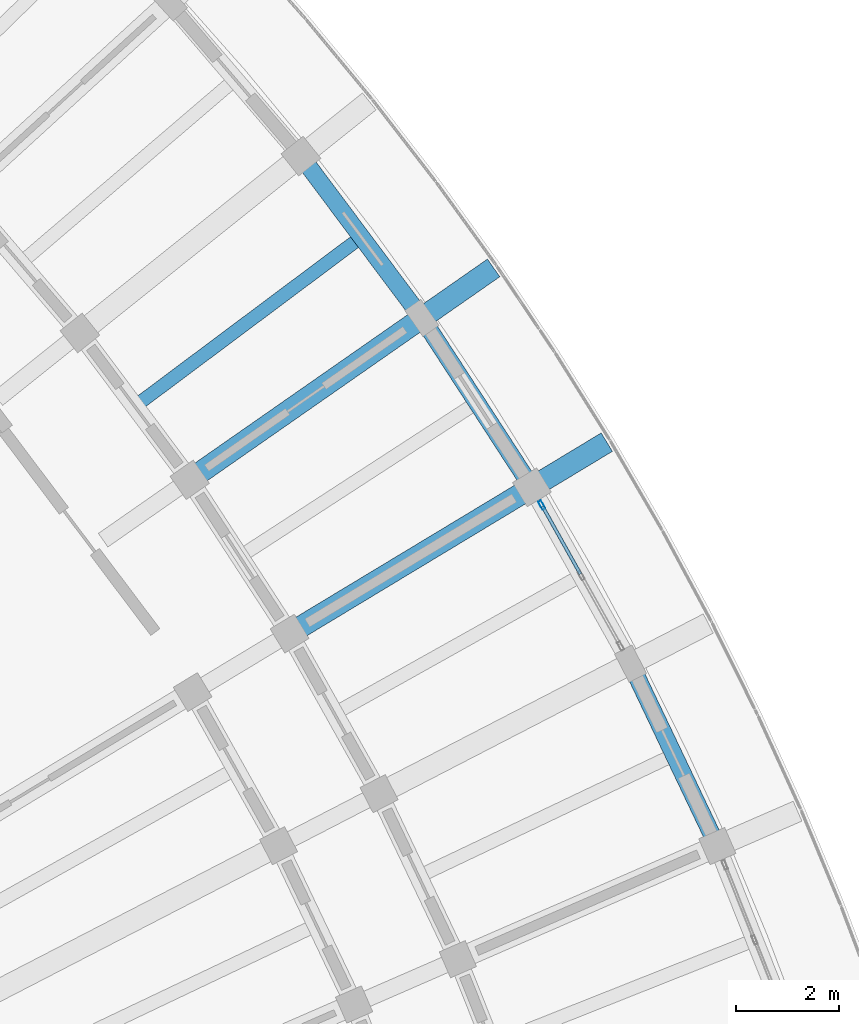
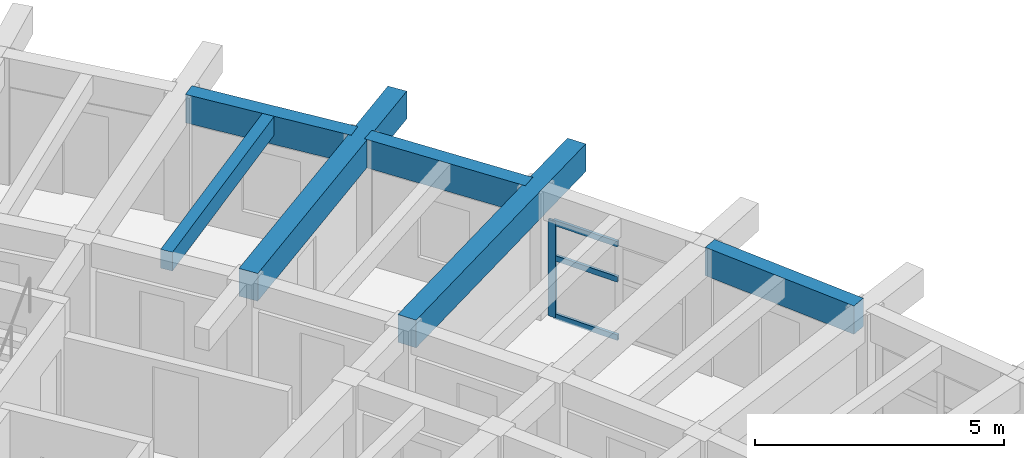
# One storey, part 38 of 96: 6 beams, 4 members, 1 element without a shape of its own.
"""IFC4 building model written with IfcOpenShell, lengths in metres."""

from ifc_helpers import new_model, si_unit, direction, frame, origin, origin_2d, place, context, subcontext, project, spatial, rectangle, hollow_rectangle, extrude, material, material_profile, profile_set, type_object, element, aggregate, save


model = new_model("IFC4")

# Units and contexts
model_context = context("Model", 3, precision=1e-05, world=origin(), true_north=direction((0.0, 1.0)))
body_context = subcontext(model_context, "Body", "Model", "MODEL_VIEW")
ifc_project = project(units=[si_unit("LENGTHUNIT", "METRE"), si_unit("AREAUNIT", "SQUARE_METRE"), si_unit("VOLUMEUNIT", "CUBIC_METRE"), si_unit("PLANEANGLEUNIT", "RADIAN"), si_unit("MASSUNIT", "GRAM", prefix="KILO")], contexts=[model_context])

# Site, building, storey
site_placement = place(None, origin())
site = spatial("IfcSite", under=ifc_project, at=site_placement, CompositionType="ELEMENT")
building_placement = place(site_placement, origin())
building = spatial("IfcBuilding", under=site, at=building_placement, Name="Tanwirah Colonnade Gardens", CompositionType="ELEMENT")
storey_placement = place(building_placement, frame((0.0, 0.0, 12.199951171875)))
storey = spatial("IfcBuildingStorey", under=building, at=storey_placement, Name="L03", CompositionType="ELEMENT", Elevation=12.199951171875)

# Beams
ifc_material_1 = material(Name="Precast concrete C45/55", Category="concrete")
ifc_material_profile_1 = material_profile(ifc_material_1, rectangle(XDim=0.419921875, YDim=0.679931640625, at=origin_2d()), Name="PC-BM 420x680")
ifc_profile_set_1 = profile_set([ifc_material_profile_1], Name="Precast concrete C45/55")
beam_type_1 = type_object("IfcBeamType", Name="BM-PC420", PredefinedType="BEAM", material=ifc_profile_set_1)
for number, where, z_axis, x_axis, name in (
    (1, (167.404296875, 88.205078125, 2.76513671875), (0.856157813984, 0.516714425533, 0.0), (-0.516714425533, 0.856157813984, 0.0), "Block B L03 Outer Radial Precast Girder 4"),
    (2, (165.458251953125, 91.20166015625, 2.76513671875), (0.820270158139, 0.571976282433, 0.0), (-0.571976282433, 0.820270158139, 0.0), "Block B L03 Outer Radial Precast Girder 5"),
):
    element("IfcBeam", number, at=place(storey_placement, frame(where, z_axis=z_axis, x_axis=x_axis)), inside=storey, type_object=beam_type_1, Name=name, PredefinedType="BEAM", context=body_context, shape_type="SweptSolid", body=[
        extrude(rectangle(XDim=0.419921875, YDim=0.679931640625, at=origin_2d()), origin(), (0.0, 0.0, 1.0), 7.050048828125),
    ])

# Curtain wall, members
ifc_material_2 = material(Name="Bronze-anodised aluminium and solar-control low-E glass", Category="aluminium")
curtain_wall_type = type_object("IfcCurtainWallType", Name="CW-LOB", PredefinedType="NOTDEFINED", material=ifc_material_2)
curtain_wall_placement = place(storey_placement, origin())
curtain_wall = element("IfcCurtainWall", 3, at=curtain_wall_placement, inside=storey, type_object=curtain_wall_type, Name="Curtain Wall CW-B-L03-OUT-03", PredefinedType="NOTDEFINED")
ifc_material_3 = material(Name="Bronze-anodised aluminium", Category="aluminium")
ifc_material_profile_2 = material_profile(ifc_material_3, hollow_rectangle(XDim=0.06494140625, YDim=0.179931640625, WallThickness=0.00390625, at=origin_2d()), Name="CW-MUL 65x180x4")
ifc_profile_set_2 = profile_set([ifc_material_profile_2], Name="Bronze-anodised aluminium")
member_type_1 = type_object("IfcMemberType", Name="CWM-65x180", PredefinedType="MULLION", material=ifc_profile_set_2)
member_1_placement = place(storey_placement, frame((172.17626953125, 90.626953125, 0.0), z_axis=(0.0, 0.0, 1.0), x_axis=(-0.8727316783, -0.488200181987, 0.0)))
member_1 = element("IfcMember", 4, at=member_1_placement, type_object=member_type_1, Name="CW-LOB mullion 3", PredefinedType="MULLION", context=body_context, shape_type="SweptSolid", body=[
    extrude(hollow_rectangle(XDim=0.06494140625, YDim=0.179931640625, WallThickness=0.00390625, at=origin_2d()), origin(), (0.0, 0.0, 1.0), 2.35498046875),
])
ifc_material_profile_3 = material_profile(ifc_material_3, hollow_rectangle(XDim=0.06494140625, YDim=0.135009765625, WallThickness=0.00390625, at=origin_2d()), Name="CW-TRN 65x135x4")
ifc_profile_set_3 = profile_set([ifc_material_profile_3], Name="Bronze-anodised aluminium")
member_type_2 = type_object("IfcMemberType", Name="CWT-65x135", PredefinedType="USERDEFINED", material=ifc_profile_set_3)
member_2_placement = place(storey_placement, frame((172.92724609375, 89.28466796875, 0.032470703125), z_axis=(-0.488242877368, 0.872707793422, 0.0), x_axis=(-0.872707793422, -0.488242877368, 0.0)))
member_2 = element("IfcMember", 5, at=member_2_placement, type_object=member_type_2, Name="CW-LOB transom 2.1", ObjectType="TRANSOM", PredefinedType="USERDEFINED", context=body_context, shape_type="SweptSolid", body=[
    extrude(hollow_rectangle(XDim=0.06494140625, YDim=0.135009765625, WallThickness=0.00390625, at=origin_2d()), origin(), (0.0, 0.0, 1.0), 1.505615234375),
])
member_3_placement = place(storey_placement, frame((172.92724609375, 89.28466796875, 1.460205078125), z_axis=(-0.488242877368, 0.872707793422, 0.0), x_axis=(-0.872707793422, -0.488242877368, 0.0)))
member_3 = element("IfcMember", 6, at=member_3_placement, type_object=member_type_2, Name="CW-LOB transom 2.2", ObjectType="TRANSOM", PredefinedType="USERDEFINED", context=body_context, shape_type="SweptSolid", body=[
    extrude(hollow_rectangle(XDim=0.06494140625, YDim=0.135009765625, WallThickness=0.00390625, at=origin_2d()), origin(), (0.0, 0.0, 1.0), 1.505615234375),
])
member_4_placement = place(storey_placement, frame((172.92724609375, 89.28466796875, 2.322509765625), z_axis=(-0.488242877368, 0.872707793422, 0.0), x_axis=(-0.872707793422, -0.488242877368, 0.0)))
member_4 = element("IfcMember", 7, at=member_4_placement, type_object=member_type_2, Name="CW-LOB transom 2.3", ObjectType="TRANSOM", PredefinedType="USERDEFINED", context=body_context, shape_type="SweptSolid", body=[
    extrude(hollow_rectangle(XDim=0.06494140625, YDim=0.135009765625, WallThickness=0.00390625, at=origin_2d()), origin(), (0.0, 0.0, 1.0), 1.505615234375),
])
aggregate(curtain_wall, [member_1, member_2, member_3, member_4])

# Beams
ifc_material_4 = material(Name="Precast concrete C40/50", Category="concrete")
ifc_material_profile_4 = material_profile(ifc_material_4, rectangle(XDim=0.260009765625, YDim=0.4599609375, at=origin_2d()), Name="PC-JST 260x460")
ifc_profile_set_4 = profile_set([ifc_material_profile_4], Name="Precast concrete C40/50")
beam_type_2 = type_object("IfcBeamType", Name="JST-PC260", PredefinedType="JOIST", material=ifc_profile_set_4)
beam_placement = place(storey_placement, frame((164.38818359375, 92.63232421875, 2.875), z_axis=(0.800973647215, 0.598699604533, 0.0), x_axis=(-0.598699604533, 0.800973647215, 0.0)))
element("IfcBeam", 8, at=beam_placement, inside=storey, type_object=beam_type_2, Name="Block B L03 Precast Floor Joist 5", PredefinedType="JOIST", context=body_context, shape_type="SweptSolid", body=[
    extrude(rectangle(XDim=0.260009765625, YDim=0.4599609375, at=origin_2d()), origin(), (0.0, 0.0, 1.0), 5.260009765625),
])
ifc_material_profile_5 = material_profile(ifc_material_4, rectangle(XDim=0.3349609375, YDim=0.695068359375, at=origin_2d()), Name="PC-SP 335x695")
ifc_profile_set_5 = profile_set([ifc_material_profile_5], Name="Precast concrete C40/50")
beam_type_3 = type_object("IfcBeamType", Name="SP-PC300", PredefinedType="SPANDREL", material=ifc_profile_set_5)
for number, where, z_axis, x_axis, name in (
    (9, (175.5234375, 84.1337890625, 2.757568359375), (-0.429593766142, 0.903022256698, 0.0), (-0.903022256698, -0.429593766142, 0.0), "Block B L03 Circumferential Beam 2-R3"),
    (10, (171.903076171875, 91.09521484375, 2.757568359375), (-0.544621436184, 0.838681996497, 0.0), (-0.838681996497, -0.544621436184, 0.0), "Block B L03 Circumferential Beam 4-R3"),
    (11, (169.7568359375, 94.382080078125, 2.757568359375), (-0.598695554058, 0.800976674786, 0.0), (-0.800976674786, -0.598695554058, 0.0), "Block B L03 Circumferential Beam 5-R3"),
):
    element("IfcBeam", number, at=place(storey_placement, frame(where, z_axis=z_axis, x_axis=x_axis)), inside=storey, type_object=beam_type_3, Name=name, PredefinedType="SPANDREL", context=body_context, shape_type="SweptSolid", body=[
        extrude(rectangle(XDim=0.3349609375, YDim=0.695068359375, at=origin_2d()), origin(), (0.0, 0.0, 1.0), 3.625732421875),
    ])

save(model, "model.ifc")
